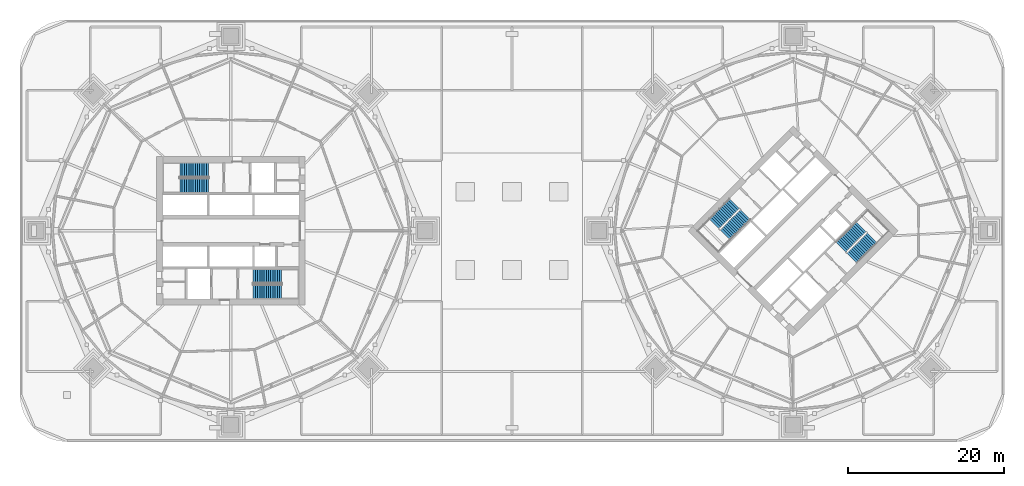
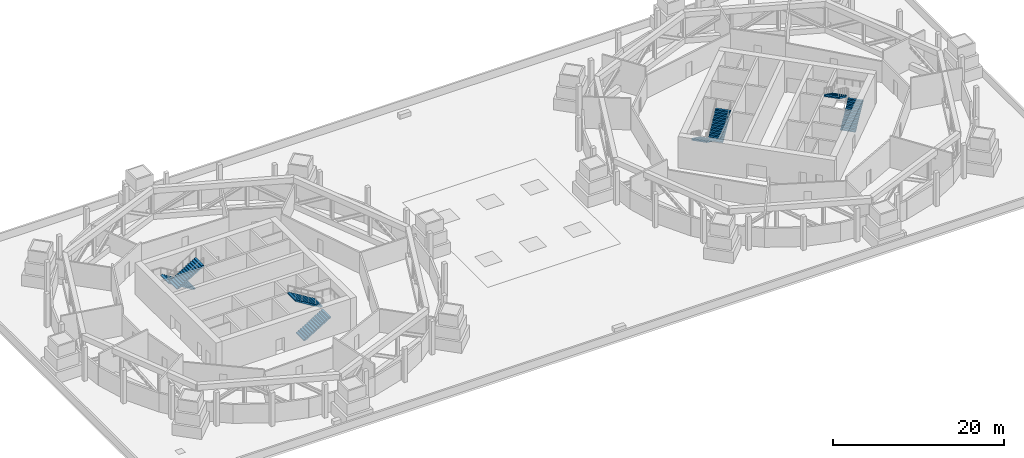
# One storey, part 17 of 21: 8 stair flights, 4 elements without a shape of their own.
"""IFC4 building model written with IfcOpenShell, lengths in metres."""

from ifc_helpers import new_model, si_unit, direction, frame, origin, place, context, subcontext, project, spatial, polyline, outline, extrude, material, type_object, element, aggregate, save


model = new_model("IFC4")

# Units and contexts
model_context = context("Model", 3, precision=1e-05, world=origin(), true_north=direction((0.0, 1.0)))
body_context = subcontext(model_context, "Body", "Model", "MODEL_VIEW")
ifc_project = project(units=[si_unit("LENGTHUNIT", "METRE"), si_unit("AREAUNIT", "SQUARE_METRE"), si_unit("VOLUMEUNIT", "CUBIC_METRE"), si_unit("PLANEANGLEUNIT", "RADIAN"), si_unit("MASSUNIT", "GRAM", prefix="KILO")], contexts=[model_context])

# Site, building, storey
site_placement = place(None, origin())
site = spatial("IfcSite", under=ifc_project, at=site_placement, CompositionType="ELEMENT")
building_placement = place(site_placement, origin())
building = spatial("IfcBuilding", under=site, at=building_placement, Name="Ogive Gate Towers", CompositionType="ELEMENT")
storey_placement = place(building_placement, frame((0.0, 0.0, 27.60009765625)))
storey = spatial("IfcBuildingStorey", under=building, at=storey_placement, Name="L05", CompositionType="ELEMENT", Elevation=27.60009765625)

# Stair, stair flights
ifc_material = material(Name="Concrete C40/50", Category="concrete")
stair_type = type_object("IfcStairType", Name="Escape stair 1840 wide", PredefinedType="HALF_TURN_STAIR", material=ifc_material)
stair_1_placement = place(storey_placement, origin())
stair_1 = element("IfcStair", 1, at=stair_1_placement, inside=storey, type_object=stair_type, Name="L05 Escape stair 1", PredefinedType="HALF_TURN_STAIR")
stair_flight_type = type_object("IfcStairFlightType", Name="Stair flight 1840 wide", PredefinedType="STRAIGHT", material=ifc_material)
stair_flight_1_placement = place(storey_placement, frame((-38.864990234375, 7.780029296875, 0.0), z_axis=(0.0, 0.0, 1.0), x_axis=(-1.0, 0.0, 0.0)))
stair_flight_1 = element("IfcStairFlight", 2, at=stair_flight_1_placement, type_object=stair_flight_type, Name="ST1 flight 1", NumberOfRisers=14, NumberOfTreads=13, PredefinedType="STRAIGHT", RiserHeight=0.171428571, TreadLength=0.28, context=body_context, shape_type="SweptSolid", body=[
    extrude(outline(polyline([(0.0, 0.0), (0.0, 0.17138671875), (0.280029296875, 0.17138671875), (0.280029296875, 0.3427734375), (0.56005859375, 0.3427734375), (0.56005859375, 0.514404296875), (0.840087890625, 0.514404296875), (0.840087890625, 0.685791015625), (1.1201171875, 0.685791015625), (1.1201171875, 0.857177734375), (1.39990234375, 0.857177734375), (1.39990234375, 1.028564453125), (1.679931640625, 1.028564453125), (1.679931640625, 1.199951171875), (1.9599609375, 1.199951171875), (1.9599609375, 1.371337890625), (2.239990234375, 1.371337890625), (2.239990234375, 1.54296875), (2.52001953125, 1.54296875), (2.52001953125, 1.71435546875), (2.800048828125, 1.71435546875), (2.800048828125, 1.8857421875), (3.080078125, 1.8857421875), (3.080078125, 2.05712890625), (3.360107421875, 2.05712890625), (3.360107421875, 2.228515625), (3.639892578125, 2.228515625), (3.639892578125, 2.39990234375), (3.639892578125, 2.052734375), (0.287109375, 0.0), (0.0, 0.0)])), frame((0.0, 0.919921875, 0.0), z_axis=(0.0, -1.0, 0.0), x_axis=(1.0, 0.0, 0.0)), (0.0, 0.0, 1.0), 1.840087890625),
])
stair_flight_2_placement = place(storey_placement, frame((-42.5048828125, 5.794921875, 2.39990234375), z_axis=(0.0, 0.0, 1.0), x_axis=(1.0, 0.0, 0.0)))
stair_flight_2 = element("IfcStairFlight", 3, at=stair_flight_2_placement, type_object=stair_flight_type, Name="ST1 flight 2", NumberOfRisers=14, NumberOfTreads=13, PredefinedType="STRAIGHT", RiserHeight=0.171428571, TreadLength=0.28, context=body_context, shape_type="SweptSolid", body=[
    extrude(outline(polyline([(0.0, 0.0), (0.0, 0.17138671875), (0.280029296875, 0.17138671875), (0.280029296875, 0.3427734375), (0.56005859375, 0.3427734375), (0.56005859375, 0.514404296875), (0.840087890625, 0.514404296875), (0.840087890625, 0.685791015625), (1.1201171875, 0.685791015625), (1.1201171875, 0.857177734375), (1.39990234375, 0.857177734375), (1.39990234375, 1.028564453125), (1.679931640625, 1.028564453125), (1.679931640625, 1.199951171875), (1.9599609375, 1.199951171875), (1.9599609375, 1.371337890625), (2.239990234375, 1.371337890625), (2.239990234375, 1.54296875), (2.52001953125, 1.54296875), (2.52001953125, 1.71435546875), (2.800048828125, 1.71435546875), (2.800048828125, 1.8857421875), (3.080078125, 1.8857421875), (3.080078125, 2.05712890625), (3.360107421875, 2.05712890625), (3.360107421875, 2.228515625), (3.639892578125, 2.228515625), (3.639892578125, 2.39990234375), (3.639892578125, 2.052734375), (0.287109375, 0.0), (0.0, 0.0)])), frame((0.0, 0.919921875, 0.0), z_axis=(0.0, -1.0, 0.0), x_axis=(1.0, 0.0, 0.0)), (0.0, 0.0, 1.0), 1.840087890625),
])
aggregate(stair_1, [stair_flight_1, stair_flight_2])

stair_2_placement = place(storey_placement, origin())
stair_2 = element("IfcStair", 4, at=stair_2_placement, inside=storey, type_object=stair_type, Name="L05 Escape stair 2", PredefinedType="HALF_TURN_STAIR")
stair_flight_3_placement = place(storey_placement, frame((-33.135009765625, -7.780029296875, 0.0), z_axis=(0.0, 0.0, 1.0), x_axis=(1.0, 0.0, 0.0)))
stair_flight_3 = element("IfcStairFlight", 5, at=stair_flight_3_placement, type_object=stair_flight_type, Name="ST2 flight 1", NumberOfRisers=14, NumberOfTreads=13, PredefinedType="STRAIGHT", RiserHeight=0.171428571, TreadLength=0.28, context=body_context, shape_type="SweptSolid", body=[
    extrude(outline(polyline([(0.0, 0.0), (0.0, 0.17138671875), (0.280029296875, 0.17138671875), (0.280029296875, 0.3427734375), (0.56005859375, 0.3427734375), (0.56005859375, 0.514404296875), (0.840087890625, 0.514404296875), (0.840087890625, 0.685791015625), (1.1201171875, 0.685791015625), (1.1201171875, 0.857177734375), (1.39990234375, 0.857177734375), (1.39990234375, 1.028564453125), (1.679931640625, 1.028564453125), (1.679931640625, 1.199951171875), (1.9599609375, 1.199951171875), (1.9599609375, 1.371337890625), (2.239990234375, 1.371337890625), (2.239990234375, 1.54296875), (2.52001953125, 1.54296875), (2.52001953125, 1.71435546875), (2.800048828125, 1.71435546875), (2.800048828125, 1.8857421875), (3.080078125, 1.8857421875), (3.080078125, 2.05712890625), (3.360107421875, 2.05712890625), (3.360107421875, 2.228515625), (3.639892578125, 2.228515625), (3.639892578125, 2.39990234375), (3.639892578125, 2.052734375), (0.287109375, 0.0), (0.0, 0.0)])), frame((0.0, 0.919921875, 0.0), z_axis=(0.0, -1.0, 0.0), x_axis=(1.0, 0.0, 0.0)), (0.0, 0.0, 1.0), 1.840087890625),
])
stair_flight_4_placement = place(storey_placement, frame((-29.4951171875, -5.794921875, 2.39990234375), z_axis=(0.0, 0.0, 1.0), x_axis=(-1.0, 0.0, 0.0)))
stair_flight_4 = element("IfcStairFlight", 6, at=stair_flight_4_placement, type_object=stair_flight_type, Name="ST2 flight 2", NumberOfRisers=14, NumberOfTreads=13, PredefinedType="STRAIGHT", RiserHeight=0.171428571, TreadLength=0.28, context=body_context, shape_type="SweptSolid", body=[
    extrude(outline(polyline([(0.0, 0.0), (0.0, 0.17138671875), (0.280029296875, 0.17138671875), (0.280029296875, 0.3427734375), (0.56005859375, 0.3427734375), (0.56005859375, 0.514404296875), (0.840087890625, 0.514404296875), (0.840087890625, 0.685791015625), (1.1201171875, 0.685791015625), (1.1201171875, 0.857177734375), (1.39990234375, 0.857177734375), (1.39990234375, 1.028564453125), (1.679931640625, 1.028564453125), (1.679931640625, 1.199951171875), (1.9599609375, 1.199951171875), (1.9599609375, 1.371337890625), (2.239990234375, 1.371337890625), (2.239990234375, 1.54296875), (2.52001953125, 1.54296875), (2.52001953125, 1.71435546875), (2.800048828125, 1.71435546875), (2.800048828125, 1.8857421875), (3.080078125, 1.8857421875), (3.080078125, 2.05712890625), (3.360107421875, 2.05712890625), (3.360107421875, 2.228515625), (3.639892578125, 2.228515625), (3.639892578125, 2.39990234375), (3.639892578125, 2.052734375), (0.287109375, 0.0), (0.0, 0.0)])), frame((0.0, 0.919921875, 0.0), z_axis=(0.0, -1.0, 0.0), x_axis=(1.0, 0.0, 0.0)), (0.0, 0.0, 1.0), 1.840087890625),
])
aggregate(stair_2, [stair_flight_3, stair_flight_4])

stair_3_placement = place(storey_placement, origin())
stair_3 = element("IfcStair", 7, at=stair_3_placement, inside=storey, type_object=stair_type, Name="L05 Escape stair 1", PredefinedType="HALF_TURN_STAIR")
stair_flight_5_placement = place(storey_placement, frame((28.472900390625, 3.475341796875, 0.0), z_axis=(0.0, 0.0, 1.0), x_axis=(-0.707106781187, -0.707106781187, 0.0)))
stair_flight_5 = element("IfcStairFlight", 8, at=stair_flight_5_placement, type_object=stair_flight_type, Name="ST1 flight 1", NumberOfRisers=14, NumberOfTreads=13, PredefinedType="STRAIGHT", RiserHeight=0.171428571, TreadLength=0.28, context=body_context, shape_type="SweptSolid", body=[
    extrude(outline(polyline([(0.0, 0.0), (0.0, 0.17138671875), (0.280029296875, 0.17138671875), (0.280029296875, 0.3427734375), (0.56005859375, 0.3427734375), (0.56005859375, 0.514404296875), (0.840087890625, 0.514404296875), (0.840087890625, 0.685791015625), (1.1201171875, 0.685791015625), (1.1201171875, 0.857177734375), (1.39990234375, 0.857177734375), (1.39990234375, 1.028564453125), (1.679931640625, 1.028564453125), (1.679931640625, 1.199951171875), (1.9599609375, 1.199951171875), (1.9599609375, 1.371337890625), (2.239990234375, 1.371337890625), (2.239990234375, 1.54296875), (2.52001953125, 1.54296875), (2.52001953125, 1.71435546875), (2.800048828125, 1.71435546875), (2.800048828125, 1.8857421875), (3.080078125, 1.8857421875), (3.080078125, 2.05712890625), (3.360107421875, 2.05712890625), (3.360107421875, 2.228515625), (3.639892578125, 2.228515625), (3.639892578125, 2.39990234375), (3.639892578125, 2.052734375), (0.287109375, 0.0), (0.0, 0.0)])), frame((0.0, 0.919921875, 0.0), z_axis=(0.0, -1.0, 0.0), x_axis=(1.0, 0.0, 0.0)), (0.0, 0.0, 1.0), 1.840087890625),
])
stair_flight_6_placement = place(storey_placement, frame((27.302490234375, -0.501953125, 2.39990234375), z_axis=(0.0, 0.0, 1.0), x_axis=(0.707106781187, 0.707106781187, 0.0)))
stair_flight_6 = element("IfcStairFlight", 9, at=stair_flight_6_placement, type_object=stair_flight_type, Name="ST1 flight 2", NumberOfRisers=14, NumberOfTreads=13, PredefinedType="STRAIGHT", RiserHeight=0.171428571, TreadLength=0.28, context=body_context, shape_type="SweptSolid", body=[
    extrude(outline(polyline([(0.0, 0.0), (0.0, 0.17138671875), (0.280029296875, 0.17138671875), (0.280029296875, 0.3427734375), (0.56005859375, 0.3427734375), (0.56005859375, 0.514404296875), (0.840087890625, 0.514404296875), (0.840087890625, 0.685791015625), (1.1201171875, 0.685791015625), (1.1201171875, 0.857177734375), (1.39990234375, 0.857177734375), (1.39990234375, 1.028564453125), (1.679931640625, 1.028564453125), (1.679931640625, 1.199951171875), (1.9599609375, 1.199951171875), (1.9599609375, 1.371337890625), (2.239990234375, 1.371337890625), (2.239990234375, 1.54296875), (2.52001953125, 1.54296875), (2.52001953125, 1.71435546875), (2.800048828125, 1.71435546875), (2.800048828125, 1.8857421875), (3.080078125, 1.8857421875), (3.080078125, 2.05712890625), (3.360107421875, 2.05712890625), (3.360107421875, 2.228515625), (3.639892578125, 2.228515625), (3.639892578125, 2.39990234375), (3.639892578125, 2.052734375), (0.287109375, 0.0), (0.0, 0.0)])), frame((0.0, 0.919921875, 0.0), z_axis=(0.0, -1.0, 0.0), x_axis=(1.0, 0.0, 0.0)), (0.0, 0.0, 1.0), 1.840087890625),
])
aggregate(stair_3, [stair_flight_5, stair_flight_6])

stair_4_placement = place(storey_placement, origin())
stair_4 = element("IfcStair", 10, at=stair_4_placement, inside=storey, type_object=stair_type, Name="L05 Escape stair 2", PredefinedType="HALF_TURN_STAIR")
stair_flight_7_placement = place(storey_placement, frame((43.527099609375, -3.475341796875, 0.0), z_axis=(0.0, 0.0, 1.0), x_axis=(0.707106781187, 0.707106781187, 0.0)))
stair_flight_7 = element("IfcStairFlight", 11, at=stair_flight_7_placement, type_object=stair_flight_type, Name="ST2 flight 1", NumberOfRisers=14, NumberOfTreads=13, PredefinedType="STRAIGHT", RiserHeight=0.171428571, TreadLength=0.28, context=body_context, shape_type="SweptSolid", body=[
    extrude(outline(polyline([(0.0, 0.0), (0.0, 0.17138671875), (0.280029296875, 0.17138671875), (0.280029296875, 0.3427734375), (0.56005859375, 0.3427734375), (0.56005859375, 0.514404296875), (0.840087890625, 0.514404296875), (0.840087890625, 0.685791015625), (1.1201171875, 0.685791015625), (1.1201171875, 0.857177734375), (1.39990234375, 0.857177734375), (1.39990234375, 1.028564453125), (1.679931640625, 1.028564453125), (1.679931640625, 1.199951171875), (1.9599609375, 1.199951171875), (1.9599609375, 1.371337890625), (2.239990234375, 1.371337890625), (2.239990234375, 1.54296875), (2.52001953125, 1.54296875), (2.52001953125, 1.71435546875), (2.800048828125, 1.71435546875), (2.800048828125, 1.8857421875), (3.080078125, 1.8857421875), (3.080078125, 2.05712890625), (3.360107421875, 2.05712890625), (3.360107421875, 2.228515625), (3.639892578125, 2.228515625), (3.639892578125, 2.39990234375), (3.639892578125, 2.052734375), (0.287109375, 0.0), (0.0, 0.0)])), frame((0.0, 0.919921875, 0.0), z_axis=(0.0, -1.0, 0.0), x_axis=(1.0, 0.0, 0.0)), (0.0, 0.0, 1.0), 1.840087890625),
])
stair_flight_8_placement = place(storey_placement, frame((44.697509765625, 0.501953125, 2.39990234375), z_axis=(0.0, 0.0, 1.0), x_axis=(-0.707106781187, -0.707106781187, 0.0)))
stair_flight_8 = element("IfcStairFlight", 12, at=stair_flight_8_placement, type_object=stair_flight_type, Name="ST2 flight 2", NumberOfRisers=14, NumberOfTreads=13, PredefinedType="STRAIGHT", RiserHeight=0.171428571, TreadLength=0.28, context=body_context, shape_type="SweptSolid", body=[
    extrude(outline(polyline([(0.0, 0.0), (0.0, 0.17138671875), (0.280029296875, 0.17138671875), (0.280029296875, 0.3427734375), (0.56005859375, 0.3427734375), (0.56005859375, 0.514404296875), (0.840087890625, 0.514404296875), (0.840087890625, 0.685791015625), (1.1201171875, 0.685791015625), (1.1201171875, 0.857177734375), (1.39990234375, 0.857177734375), (1.39990234375, 1.028564453125), (1.679931640625, 1.028564453125), (1.679931640625, 1.199951171875), (1.9599609375, 1.199951171875), (1.9599609375, 1.371337890625), (2.239990234375, 1.371337890625), (2.239990234375, 1.54296875), (2.52001953125, 1.54296875), (2.52001953125, 1.71435546875), (2.800048828125, 1.71435546875), (2.800048828125, 1.8857421875), (3.080078125, 1.8857421875), (3.080078125, 2.05712890625), (3.360107421875, 2.05712890625), (3.360107421875, 2.228515625), (3.639892578125, 2.228515625), (3.639892578125, 2.39990234375), (3.639892578125, 2.052734375), (0.287109375, 0.0), (0.0, 0.0)])), frame((0.0, 0.919921875, 0.0), z_axis=(0.0, -1.0, 0.0), x_axis=(1.0, 0.0, 0.0)), (0.0, 0.0, 1.0), 1.840087890625),
])
aggregate(stair_4, [stair_flight_7, stair_flight_8])

save(model, "model.ifc")
